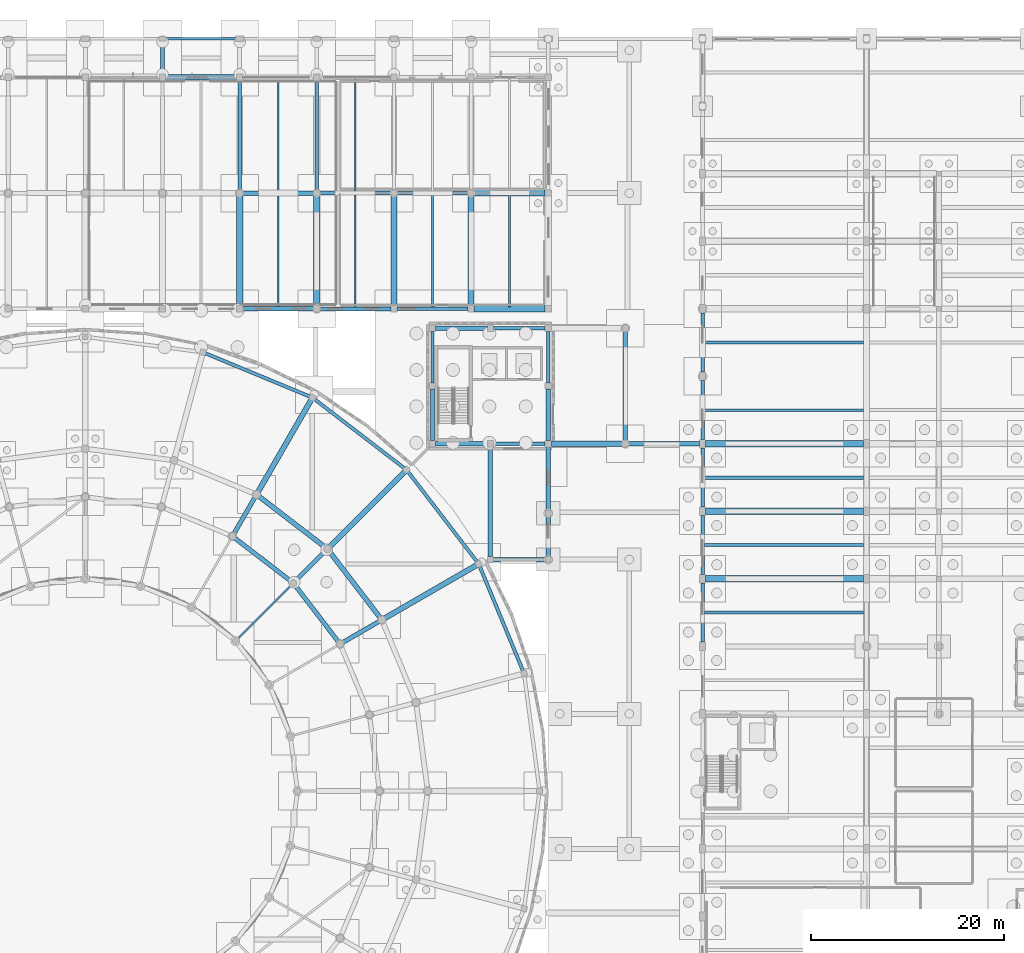
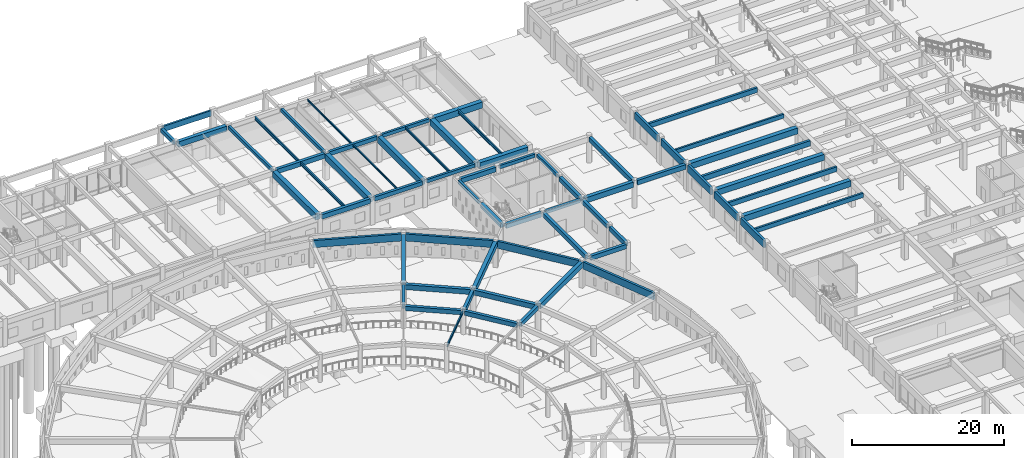
# One storey, part 32 of 84: 66 beams.
"""IFC4 building model written with IfcOpenShell, lengths in metres."""

from ifc_helpers import new_model, si_unit, direction, frame, origin, origin_2d, place, context, subcontext, project, spatial, rectangle, i_section, extrude, material, material_profile, profile_set, type_object, element, save


model = new_model("IFC4")

# Units and contexts
model_context = context("Model", 3, precision=1e-05, world=origin(), true_north=direction((0.0, 1.0)))
body_context = subcontext(model_context, "Body", "Model", "MODEL_VIEW")
ifc_project = project(units=[si_unit("LENGTHUNIT", "METRE"), si_unit("AREAUNIT", "SQUARE_METRE"), si_unit("VOLUMEUNIT", "CUBIC_METRE"), si_unit("PLANEANGLEUNIT", "RADIAN"), si_unit("MASSUNIT", "GRAM", prefix="KILO")], contexts=[model_context])

# Site, building, storey
site_placement = place(None, origin())
site = spatial("IfcSite", under=ifc_project, at=site_placement, CompositionType="ELEMENT")
building_placement = place(site_placement, origin())
building = spatial("IfcBuilding", under=site, at=building_placement, Name="Larkveld Mobility Hub", CompositionType="ELEMENT")
storey_placement = place(building_placement, origin())
storey = spatial("IfcBuildingStorey", under=building, at=storey_placement, Name="L00", CompositionType="ELEMENT", Elevation=0.0)

# Beams
ifc_material_1 = material(Name="Precast concrete C50/60", Category="concrete")
ifc_material_profile_1 = material_profile(ifc_material_1, rectangle(XDim=0.280029296875, YDim=0.64990234375, at=origin_2d()), Name="PC DT 280x650")
ifc_profile_set_1 = profile_set([ifc_material_profile_1], Name="Precast concrete C50/60")
beam_type_1 = type_object("IfcBeamType", Name="BM-DT2865", PredefinedType="T_BEAM", material=ifc_profile_set_1)
beam_1_placement = place(storey_placement, frame((112.169921875, 87.5, 3.945068359375), z_axis=(1.0, 0.0, 0.0), x_axis=(0.0, 1.0, 0.0)))
element("IfcBeam", 1, at=beam_1_placement, inside=storey, type_object=beam_type_1, Name="Precast Double-Tee Stem L00-1031", PredefinedType="T_BEAM", context=body_context, shape_type="SweptSolid", body=[
    extrude(rectangle(XDim=0.280029296875, YDim=0.64990234375, at=origin_2d()), origin(), (0.0, 0.0, 1.0), 16.510009765625),
])
ifc_material_profile_2 = material_profile(ifc_material_1, rectangle(XDim=0.300048828125, YDim=0.699951171875, at=origin_2d()), Name="PC DT 300x700")
ifc_profile_set_2 = profile_set([ifc_material_profile_2], Name="Precast concrete C50/60")
beam_type_2 = type_object("IfcBeamType", Name="BM-DT3070", PredefinedType="T_BEAM", material=ifc_profile_set_2)
beam_2_placement = place(storey_placement, frame((112.169921875, 66.5, 3.919921875), z_axis=(1.0, 0.0, 0.0), x_axis=(0.0, 1.0, 0.0)))
element("IfcBeam", 2, at=beam_2_placement, inside=storey, type_object=beam_type_2, Name="Precast Double-Tee Stem L00-1024", PredefinedType="T_BEAM", context=body_context, shape_type="SweptSolid", body=[
    extrude(rectangle(XDim=0.300048828125, YDim=0.699951171875, at=origin_2d()), origin(), (0.0, 0.0, 1.0), 16.510009765625),
])
ifc_material_profile_3 = material_profile(ifc_material_1, rectangle(XDim=0.320068359375, YDim=0.75, at=origin_2d()), Name="PC DT 320x750")
ifc_profile_set_3 = profile_set([ifc_material_profile_3], Name="Precast concrete C50/60")
beam_type_3 = type_object("IfcBeamType", Name="BM-DT3275", PredefinedType="T_BEAM", material=ifc_profile_set_3)
for number, where, z_axis, x_axis, name in (
    (3, (112.169921875, 73.5, 3.89501953125), (1.0, 0.0, 0.0), (0.0, 1.0, 0.0), "Precast Double-Tee Stem L00-1025"),
    (4, (112.169921875, 94.5, 3.89501953125), (1.0, 0.0, 0.0), (0.0, 1.0, 0.0), "Precast Double-Tee Stem L00-1034"),
):
    element("IfcBeam", number, at=place(storey_placement, frame(where, z_axis=z_axis, x_axis=x_axis)), inside=storey, type_object=beam_type_3, Name=name, PredefinedType="T_BEAM", context=body_context, shape_type="SweptSolid", body=[
        extrude(rectangle(XDim=0.320068359375, YDim=0.75, at=origin_2d()), origin(), (0.0, 0.0, 1.0), 16.510009765625),
    ])
ifc_material_profile_4 = material_profile(ifc_material_1, rectangle(XDim=0.360107421875, YDim=0.85009765625, at=origin_2d()), Name="PC DT 360x850")
ifc_profile_set_4 = profile_set([ifc_material_profile_4], Name="Precast concrete C50/60")
beam_type_4 = type_object("IfcBeamType", Name="BM-DT3685", PredefinedType="T_BEAM", material=ifc_profile_set_4)
beam_3_placement = place(storey_placement, frame((112.169921875, 80.5, 3.844970703125), z_axis=(1.0, 0.0, 0.0), x_axis=(0.0, 1.0, 0.0)))
element("IfcBeam", 5, at=beam_3_placement, inside=storey, type_object=beam_type_4, Name="Precast Double-Tee Stem L00-1028", PredefinedType="T_BEAM", context=body_context, shape_type="SweptSolid", body=[
    extrude(rectangle(XDim=0.360107421875, YDim=0.85009765625, at=origin_2d()), origin(), (0.0, 0.0, 1.0), 16.510009765625),
])
ifc_material_profile_5 = material_profile(ifc_material_1, rectangle(XDim=0.64990234375, YDim=0.949951171875, at=origin_2d()), Name="PC ITB 650x950")
ifc_profile_set_5 = profile_set([ifc_material_profile_5], Name="Precast concrete C50/60")
beam_type_5 = type_object("IfcBeamType", Name="BM-ITB6595", PredefinedType="T_BEAM", material=ifc_profile_set_5)
for number, where, z_axis, x_axis, name in (
    (6, (112.324951171875, 70.0, 3.784912109375), (1.0, 0.0, 0.0), (0.0, 1.0, 0.0), "Primary E-W Girder L00-0027"),
    (7, (112.324951171875, 77.0, 3.784912109375), (1.0, 0.0, 0.0), (0.0, 1.0, 0.0), "Primary E-W Girder L00-0031"),
    (8, (112.324951171875, 84.0, 3.784912109375), (1.0, 0.0, 0.0), (0.0, 1.0, 0.0), "Primary E-W Girder L00-0039"),
):
    element("IfcBeam", number, at=place(storey_placement, frame(where, z_axis=z_axis, x_axis=x_axis)), inside=storey, type_object=beam_type_5, Name=name, PredefinedType="T_BEAM", context=body_context, shape_type="SweptSolid", body=[
        extrude(rectangle(XDim=0.64990234375, YDim=0.949951171875, at=origin_2d()), origin(), (0.0, 0.0, 1.0), 16.35009765625),
    ])
ifc_material_2 = material(Name="Concrete C40/50", Category="concrete")
ifc_material_profile_6 = material_profile(ifc_material_2, rectangle(XDim=0.35009765625, YDim=0.550048828125, at=origin_2d()), Name="RC BM 350x550")
ifc_profile_set_6 = profile_set([ifc_material_profile_6], Name="Concrete C40/50")
beam_type_6 = type_object("IfcBeamType", Name="BM-RC3555", PredefinedType="BEAM", material=ifc_profile_set_6)
for number, where, z_axis, x_axis, name in (
    (9, (90.324951171875, 84.0, 3.985107421875), (1.0, 0.0, 0.0), (0.0, 1.0, 0.0), "Primary E-W Girder L00-0036"),
    (10, (90.324951171875, 96.0, 3.985107421875), (1.0, 0.0, 0.0), (0.0, 1.0, 0.0), "Primary E-W Girder L00-0045"),
):
    element("IfcBeam", number, at=place(storey_placement, frame(where, z_axis=z_axis, x_axis=x_axis)), inside=storey, type_object=beam_type_6, Name=name, PredefinedType="BEAM", context=body_context, shape_type="SweptSolid", body=[
        extrude(rectangle(XDim=0.35009765625, YDim=0.550048828125, at=origin_2d()), origin(), (0.0, 0.0, 1.0), 5.35009765625),
    ])
for number, where, z_axis, x_axis, name in (
    (11, (80.324951171875, 98.0, 3.985107421875), (1.0, 0.0, 0.0), (0.0, 1.0, 0.0), "Primary E-W Girder L00-0057"),
    (12, (80.324951171875, 110.0, 3.985107421875), (1.0, 0.0, 0.0), (0.0, 1.0, 0.0), "Primary E-W Girder L00-0077"),
):
    element("IfcBeam", number, at=place(storey_placement, frame(where, z_axis=z_axis, x_axis=x_axis)), inside=storey, type_object=beam_type_6, Name=name, PredefinedType="BEAM", context=body_context, shape_type="SweptSolid", body=[
        extrude(rectangle(XDim=0.35009765625, YDim=0.550048828125, at=origin_2d()), origin(), (0.0, 0.0, 1.0), 7.35009765625),
    ])
for number, where, z_axis, x_axis, name in (
    (13, (64.0, 110.324951171875, 3.985107421875), (0.0, 1.0, 0.0), (-1.0, 0.0, 0.0), "Primary N-S Girder L00-0139"),
    (14, (72.0, 110.324951171875, 3.985107421875), (0.0, 1.0, 0.0), (-1.0, 0.0, 0.0), "Primary N-S Girder L00-0142"),
):
    element("IfcBeam", number, at=place(storey_placement, frame(where, z_axis=z_axis, x_axis=x_axis)), inside=storey, type_object=beam_type_6, Name=name, PredefinedType="BEAM", context=body_context, shape_type="SweptSolid", body=[
        extrude(rectangle(XDim=0.35009765625, YDim=0.550048828125, at=origin_2d()), origin(), (0.0, 0.0, 1.0), 11.35009765625),
    ])
for number, where, z_axis, x_axis, name in (
    (15, (84.0, 90.324951171875, 3.985107421875), (0.0, 1.0, 0.0), (-1.0, 0.0, 0.0), "Primary N-S Girder L00-0148"),
    (16, (96.0, 90.324951171875, 3.985107421875), (0.0, 1.0, 0.0), (-1.0, 0.0, 0.0), "Primary N-S Girder L00-0153"),
):
    element("IfcBeam", number, at=place(storey_placement, frame(where, z_axis=z_axis, x_axis=x_axis)), inside=storey, type_object=beam_type_6, Name=name, PredefinedType="BEAM", context=body_context, shape_type="SweptSolid", body=[
        extrude(rectangle(XDim=0.35009765625, YDim=0.550048828125, at=origin_2d()), origin(), (0.0, 0.0, 1.0), 5.35009765625),
    ])
ifc_material_profile_7 = material_profile(ifc_material_2, rectangle(XDim=0.39990234375, YDim=0.64990234375, at=origin_2d()), Name="RC BM 400x650")
ifc_profile_set_7 = profile_set([ifc_material_profile_7], Name="Concrete C40/50")
beam_type_7 = type_object("IfcBeamType", Name="BM-RC4065", PredefinedType="BEAM", material=ifc_profile_set_7)
for number, where, z_axis, x_axis, name in (
    (17, (72.324951171875, 98.0, 3.93505859375), (1.0, 0.0, 0.0), (0.0, 1.0, 0.0), "Primary E-W Girder L00-0056"),
    (18, (72.324951171875, 110.0, 3.93505859375), (1.0, 0.0, 0.0), (0.0, 1.0, 0.0), "Primary E-W Girder L00-0076"),
):
    element("IfcBeam", number, at=place(storey_placement, frame(where, z_axis=z_axis, x_axis=x_axis)), inside=storey, type_object=beam_type_7, Name=name, PredefinedType="BEAM", context=body_context, shape_type="SweptSolid", body=[
        extrude(rectangle(XDim=0.39990234375, YDim=0.64990234375, at=origin_2d()), origin(), (0.0, 0.0, 1.0), 7.35009765625),
    ])
beam_4_placement = place(storey_placement, frame((56.0, 122.324951171875, 3.93505859375), z_axis=(0.0, 1.0, 0.0), x_axis=(-1.0, 0.0, 0.0)))
element("IfcBeam", 19, at=beam_4_placement, inside=storey, type_object=beam_type_7, Name="Primary N-S Girder L00-0137", PredefinedType="BEAM", context=body_context, shape_type="SweptSolid", body=[
    extrude(rectangle(XDim=0.39990234375, YDim=0.64990234375, at=origin_2d()), origin(), (0.0, 0.0, 1.0), 3.300048828125),
])
ifc_material_profile_8 = material_profile(ifc_material_2, rectangle(XDim=0.449951171875, YDim=0.699951171875, at=origin_2d()), Name="RC BM 450x700")
ifc_profile_set_8 = profile_set([ifc_material_profile_8], Name="Concrete C40/50")
beam_type_8 = type_object("IfcBeamType", Name="BM-RC4570", PredefinedType="BEAM", material=ifc_profile_set_8)
beam_5_placement = place(storey_placement, frame((90.294921875, 72.0, 3.909912109375), z_axis=(1.0, 0.0, 0.0), x_axis=(0.0, 1.0, 0.0)))
element("IfcBeam", 20, at=beam_5_placement, inside=storey, type_object=beam_type_8, Name="Drum Link South Girder L00-0241", PredefinedType="BEAM", context=body_context, shape_type="SweptSolid", body=[
    extrude(rectangle(XDim=0.449951171875, YDim=0.699951171875, at=origin_2d()), origin(), (0.0, 0.0, 1.0), 5.41015625),
])
beam_6_placement = place(storey_placement, frame((90.0, 72.294921875, 3.909912109375), z_axis=(0.0, 1.0, 0.0), x_axis=(-1.0, 0.0, 0.0)))
element("IfcBeam", 21, at=beam_6_placement, inside=storey, type_object=beam_type_8, Name="Drum Link Spine Girder L00-0241", PredefinedType="BEAM", context=body_context, shape_type="SweptSolid", body=[
    extrude(rectangle(XDim=0.449951171875, YDim=0.699951171875, at=origin_2d()), origin(), (0.0, 0.0, 1.0), 11.41015625),
])
beam_7_placement = place(storey_placement, frame((96.0, 72.294921875, 3.909912109375), z_axis=(0.0, 1.0, 0.0), x_axis=(-1.0, 0.0, 0.0)))
element("IfcBeam", 22, at=beam_7_placement, inside=storey, type_object=beam_type_8, Name="Drum Link East Girder L00-0241", PredefinedType="BEAM", context=body_context, shape_type="SweptSolid", body=[
    extrude(rectangle(XDim=0.449951171875, YDim=0.699951171875, at=origin_2d()), origin(), (0.0, 0.0, 1.0), 4.2099609375),
])
beam_8_placement = place(storey_placement, frame((96.0, 77.094970703125, 3.909912109375), z_axis=(0.0, 1.0, 0.0), x_axis=(-1.0, 0.0, 0.0)))
element("IfcBeam", 23, at=beam_8_placement, inside=storey, type_object=beam_type_8, Name="Drum Link East Girder L00-0241", PredefinedType="BEAM", context=body_context, shape_type="SweptSolid", body=[
    extrude(rectangle(XDim=0.449951171875, YDim=0.699951171875, at=origin_2d()), origin(), (0.0, 0.0, 1.0), 6.610107421875),
])
beam_9_placement = place(storey_placement, frame((74.6220703125, 63.3701171875, 3.885009765625), z_axis=(0.86601375827, 0.50002017008, 0.0), x_axis=(-0.50002017008, 0.86601375827, 0.0)))
element("IfcBeam", 24, at=beam_9_placement, inside=storey, type_object=beam_type_8, Name="Drum Radial Girder L00-1226", PredefinedType="BEAM", context=body_context, shape_type="SweptSolid", body=[
    extrude(rectangle(XDim=0.449951171875, YDim=0.699951171875, at=origin_2d()), origin(), (0.0, 0.0, 1.0), 4.519287109375),
])
beam_10_placement = place(storey_placement, frame((69.737060546875, 69.737060546875, 3.885009765625), z_axis=(0.707106781187, 0.707106781187, 0.0), x_axis=(-0.707106781187, 0.707106781187, 0.0)))
element("IfcBeam", 25, at=beam_10_placement, inside=storey, type_object=beam_type_8, Name="Drum Radial Girder L00-1229", PredefinedType="BEAM", context=body_context, shape_type="SweptSolid", body=[
    extrude(rectangle(XDim=0.449951171875, YDim=0.699951171875, at=origin_2d()), origin(), (0.0, 0.0, 1.0), 4.51806640625),
])
beam_11_placement = place(storey_placement, frame((63.3701171875, 74.6220703125, 3.885009765625), z_axis=(0.50002017008, 0.86601375827, 0.0), x_axis=(-0.86601375827, 0.50002017008, 0.0)))
element("IfcBeam", 26, at=beam_11_placement, inside=storey, type_object=beam_type_8, Name="Drum Radial Girder L00-1232", PredefinedType="BEAM", context=body_context, shape_type="SweptSolid", body=[
    extrude(rectangle(XDim=0.449951171875, YDim=0.699951171875, at=origin_2d()), origin(), (0.0, 0.0, 1.0), 4.519287109375),
])
for number, where, z_axis, x_axis, name in (
    (27, (74.26806640625, 63.43994140625, 3.885009765625), (-0.608723281143, 0.793382610721, 0.0), (-0.793382610721, -0.608723281143, 0.0), "Drum Chord Ring Beam L00-1298"),
    (28, (69.376953125, 69.712890625, 3.885009765625), (-0.793382610721, 0.608723281143, 0.0), (-0.608723281143, -0.793382610721, 0.0), "Drum Chord Ring Beam L00-1302"),
):
    element("IfcBeam", number, at=place(storey_placement, frame(where, z_axis=z_axis, x_axis=x_axis)), inside=storey, type_object=beam_type_8, Name=name, PredefinedType="BEAM", context=body_context, shape_type="SweptSolid", body=[
        extrude(rectangle(XDim=0.449951171875, YDim=0.699951171875, at=origin_2d()), origin(), (0.0, 0.0, 1.0), 7.483154296875),
    ])
ifc_material_profile_9 = material_profile(ifc_material_2, rectangle(XDim=0.449951171875, YDim=0.75, at=origin_2d()), Name="RC BM 450x750")
ifc_profile_set_9 = profile_set([ifc_material_profile_9], Name="Concrete C40/50")
beam_type_9 = type_object("IfcBeamType", Name="BM-RC4575", PredefinedType="BEAM", material=ifc_profile_set_9)
beam_12_placement = place(storey_placement, frame((84.324951171875, 84.0, 3.885009765625), z_axis=(1.0, 0.0, 0.0), x_axis=(0.0, 1.0, 0.0)))
element("IfcBeam", 29, at=beam_12_placement, inside=storey, type_object=beam_type_9, Name="Primary E-W Girder L00-0035", PredefinedType="BEAM", context=body_context, shape_type="SweptSolid", body=[
    extrude(rectangle(XDim=0.449951171875, YDim=0.75, at=origin_2d()), origin(), (0.0, 0.0, 1.0), 5.35009765625),
])
beam_13_placement = place(storey_placement, frame((104.35009765625, 84.0, 3.885009765625), z_axis=(1.0, 0.0, 0.0), x_axis=(0.0, 1.0, 0.0)))
element("IfcBeam", 30, at=beam_13_placement, inside=storey, type_object=beam_type_9, Name="Primary E-W Girder L00-0038", PredefinedType="BEAM", context=body_context, shape_type="SweptSolid", body=[
    extrude(rectangle(XDim=0.449951171875, YDim=0.75, at=origin_2d()), origin(), (0.0, 0.0, 1.0), 7.324951171875),
])
beam_14_placement = place(storey_placement, frame((84.324951171875, 96.0, 3.885009765625), z_axis=(1.0, 0.0, 0.0), x_axis=(0.0, 1.0, 0.0)))
element("IfcBeam", 31, at=beam_14_placement, inside=storey, type_object=beam_type_9, Name="Primary E-W Girder L00-0044", PredefinedType="BEAM", context=body_context, shape_type="SweptSolid", body=[
    extrude(rectangle(XDim=0.449951171875, YDim=0.75, at=origin_2d()), origin(), (0.0, 0.0, 1.0), 5.35009765625),
])
for number, where, z_axis, x_axis, name in (
    (32, (64.324951171875, 98.0, 3.885009765625), (1.0, 0.0, 0.0), (0.0, 1.0, 0.0), "Primary E-W Girder L00-0055"),
    (33, (64.324951171875, 110.0, 3.885009765625), (1.0, 0.0, 0.0), (0.0, 1.0, 0.0), "Primary E-W Girder L00-0075"),
):
    element("IfcBeam", number, at=place(storey_placement, frame(where, z_axis=z_axis, x_axis=x_axis)), inside=storey, type_object=beam_type_9, Name=name, PredefinedType="BEAM", context=body_context, shape_type="SweptSolid", body=[
        extrude(rectangle(XDim=0.449951171875, YDim=0.75, at=origin_2d()), origin(), (0.0, 0.0, 1.0), 7.35009765625),
    ])
for number, where, z_axis, x_axis, name in (
    (34, (84.0, 84.324951171875, 3.885009765625), (0.0, 1.0, 0.0), (-1.0, 0.0, 0.0), "Primary N-S Girder L00-0147"),
    (35, (96.0, 84.324951171875, 3.885009765625), (0.0, 1.0, 0.0), (-1.0, 0.0, 0.0), "Primary N-S Girder L00-0152"),
):
    element("IfcBeam", number, at=place(storey_placement, frame(where, z_axis=z_axis, x_axis=x_axis)), inside=storey, type_object=beam_type_9, Name=name, PredefinedType="BEAM", context=body_context, shape_type="SweptSolid", body=[
        extrude(rectangle(XDim=0.449951171875, YDim=0.75, at=origin_2d()), origin(), (0.0, 0.0, 1.0), 5.35009765625),
    ])
beam_15_placement = place(storey_placement, frame((104.0, 84.35009765625, 3.885009765625), z_axis=(0.0, 1.0, 0.0), x_axis=(-1.0, 0.0, 0.0)))
element("IfcBeam", 36, at=beam_15_placement, inside=storey, type_object=beam_type_9, Name="Primary N-S Girder L00-0157", PredefinedType="BEAM", context=body_context, shape_type="SweptSolid", body=[
    extrude(rectangle(XDim=0.449951171875, YDim=0.75, at=origin_2d()), origin(), (0.0, 0.0, 1.0), 11.2998046875),
])
ifc_material_profile_10 = material_profile(ifc_material_2, rectangle(XDim=0.5, YDim=0.800048828125, at=origin_2d()), Name="RC BM 500x800")
ifc_profile_set_10 = profile_set([ifc_material_profile_10], Name="Concrete C40/50")
beam_type_10 = type_object("IfcBeamType", Name="BM-RC5080", PredefinedType="BEAM", material=ifc_profile_set_10)
for number, where, z_axis, x_axis, name in (
    (37, (78.597900390625, 65.93994140625, 3.8349609375), (-0.608755761591, 0.793357689021, 0.0), (-0.793357689021, -0.608755761591, 0.0), "Drum Chord Ring Beam L00-1299"),
    (38, (72.912109375, 73.248046875, 3.8349609375), (-0.793357689021, 0.608755761591, 0.0), (-0.608755761591, -0.793357689021, 0.0), "Drum Chord Ring Beam L00-1303"),
):
    element("IfcBeam", number, at=place(storey_placement, frame(where, z_axis=z_axis, x_axis=x_axis)), inside=storey, type_object=beam_type_10, Name=name, PredefinedType="BEAM", context=body_context, shape_type="SweptSolid", body=[
        extrude(rectangle(XDim=0.5, YDim=0.800048828125, at=origin_2d()), origin(), (0.0, 0.0, 1.0), 8.7880859375),
    ])
ifc_material_profile_11 = material_profile(ifc_material_2, rectangle(XDim=0.550048828125, YDim=0.85009765625, at=origin_2d()), Name="RC BM 550x850")
ifc_profile_set_11 = profile_set([ifc_material_profile_11], Name="Concrete C40/50")
beam_type_11 = type_object("IfcBeamType", Name="BM-RC5585", PredefinedType="BEAM", material=ifc_profile_set_11)
beam_16_placement = place(storey_placement, frame((96.324951171875, 84.0, 3.8349609375), z_axis=(1.0, 0.0, 0.0), x_axis=(0.0, 1.0, 0.0)))
element("IfcBeam", 39, at=beam_16_placement, inside=storey, type_object=beam_type_11, Name="Primary E-W Girder L00-0037", PredefinedType="BEAM", context=body_context, shape_type="SweptSolid", body=[
    extrude(rectangle(XDim=0.550048828125, YDim=0.85009765625, at=origin_2d()), origin(), (0.0, 0.0, 1.0), 7.324951171875),
])
beam_17_placement = place(storey_placement, frame((56.324951171875, 122.0, 3.8349609375), z_axis=(1.0, 0.0, 0.0), x_axis=(0.0, 1.0, 0.0)))
element("IfcBeam", 40, at=beam_17_placement, inside=storey, type_object=beam_type_11, Name="Primary E-W Girder L00-0091", PredefinedType="BEAM", context=body_context, shape_type="SweptSolid", body=[
    extrude(rectangle(XDim=0.550048828125, YDim=0.85009765625, at=origin_2d()), origin(), (0.0, 0.0, 1.0), 7.35009765625),
])
beam_18_placement = place(storey_placement, frame((78.951904296875, 65.8701171875, 3.81005859375), z_axis=(0.866030930781, 0.499990426839, 0.0), x_axis=(-0.499990426839, 0.866030930781, 0.0)))
element("IfcBeam", 41, at=beam_18_placement, inside=storey, type_object=beam_type_11, Name="Drum Radial Girder L00-1227", PredefinedType="BEAM", context=body_context, shape_type="SweptSolid", body=[
    extrude(rectangle(XDim=0.550048828125, YDim=0.85009765625, at=origin_2d()), origin(), (0.0, 0.0, 1.0), 11.119873046875),
])
beam_19_placement = place(storey_placement, frame((73.27197265625, 73.27197265625, 3.81005859375), z_axis=(0.707106781187, 0.707106781187, 0.0), x_axis=(-0.707106781187, 0.707106781187, 0.0)))
element("IfcBeam", 42, at=beam_19_placement, inside=storey, type_object=beam_type_11, Name="Drum Radial Girder L00-1230", PredefinedType="BEAM", context=body_context, shape_type="SweptSolid", body=[
    extrude(rectangle(XDim=0.550048828125, YDim=0.85009765625, at=origin_2d()), origin(), (0.0, 0.0, 1.0), 11.1201171875),
])
beam_20_placement = place(storey_placement, frame((65.8701171875, 78.951904296875, 3.81005859375), z_axis=(0.499990426839, 0.866030930781, 0.0), x_axis=(-0.866030930781, 0.499990426839, 0.0)))
element("IfcBeam", 43, at=beam_20_placement, inside=storey, type_object=beam_type_11, Name="Drum Radial Girder L00-1233", PredefinedType="BEAM", context=body_context, shape_type="SweptSolid", body=[
    extrude(rectangle(XDim=0.550048828125, YDim=0.85009765625, at=origin_2d()), origin(), (0.0, 0.0, 1.0), 11.119873046875),
])
ifc_material_profile_12 = material_profile(ifc_material_2, rectangle(XDim=0.64990234375, YDim=1.0, at=origin_2d()), Name="RC BM 650x1000")
ifc_profile_set_12 = profile_set([ifc_material_profile_12], Name="Concrete C40/50")
beam_type_12 = type_object("IfcBeamType", Name="BM-RC65100", PredefinedType="BEAM", material=ifc_profile_set_12)
for number, where, z_axis, x_axis, name in (
    (44, (88.324951171875, 98.0, 3.760009765625), (1.0, 0.0, 0.0), (0.0, 1.0, 0.0), "Primary E-W Girder L00-0058"),
    (45, (88.324951171875, 110.0, 3.760009765625), (1.0, 0.0, 0.0), (0.0, 1.0, 0.0), "Primary E-W Girder L00-0078"),
):
    element("IfcBeam", number, at=place(storey_placement, frame(where, z_axis=z_axis, x_axis=x_axis)), inside=storey, type_object=beam_type_12, Name=name, PredefinedType="BEAM", context=body_context, shape_type="SweptSolid", body=[
        extrude(rectangle(XDim=0.64990234375, YDim=1.0, at=origin_2d()), origin(), (0.0, 0.0, 1.0), 7.35009765625),
    ])
for number, where, z_axis, x_axis, name in (
    (46, (64.0, 98.324951171875, 3.760009765625), (0.0, 1.0, 0.0), (-1.0, 0.0, 0.0), "Primary N-S Girder L00-0138"),
    (47, (72.0, 98.324951171875, 3.760009765625), (0.0, 1.0, 0.0), (-1.0, 0.0, 0.0), "Primary N-S Girder L00-0141"),
    (48, (80.0, 98.324951171875, 3.760009765625), (0.0, 1.0, 0.0), (-1.0, 0.0, 0.0), "Primary N-S Girder L00-0144"),
    (49, (88.0, 98.324951171875, 3.760009765625), (0.0, 1.0, 0.0), (-1.0, 0.0, 0.0), "Primary N-S Girder L00-0149"),
):
    element("IfcBeam", number, at=place(storey_placement, frame(where, z_axis=z_axis, x_axis=x_axis)), inside=storey, type_object=beam_type_12, Name=name, PredefinedType="BEAM", context=body_context, shape_type="SweptSolid", body=[
        extrude(rectangle(XDim=0.64990234375, YDim=1.0, at=origin_2d()), origin(), (0.0, 0.0, 1.0), 11.35009765625),
    ])
ifc_material_profile_13 = material_profile(ifc_material_1, rectangle(XDim=0.280029296875, YDim=0.89990234375, at=origin_2d()), Name="PC SP 280x900")
ifc_profile_set_13 = profile_set([ifc_material_profile_13], Name="Precast concrete C50/60")
beam_type_13 = type_object("IfcBeamType", Name="BM-SP2890", PredefinedType="SPANDREL", material=ifc_profile_set_13)
beam_21_placement = place(storey_placement, frame((56.25, 126.0, 3.81005859375), z_axis=(1.0, 0.0, 0.0), x_axis=(0.0, 1.0, 0.0)))
element("IfcBeam", 50, at=beam_21_placement, inside=storey, type_object=beam_type_13, Name="Primary E-W Girder L00-0103", PredefinedType="SPANDREL", context=body_context, shape_type="SweptSolid", body=[
    extrude(rectangle(XDim=0.280029296875, YDim=0.89990234375, at=origin_2d()), origin(), (0.0, 0.0, 1.0), 7.47509765625),
])
ifc_material_profile_14 = material_profile(ifc_material_1, rectangle(XDim=0.35009765625, YDim=1.14990234375, at=origin_2d()), Name="PC SP 350x1150")
ifc_profile_set_14 = profile_set([ifc_material_profile_14], Name="Precast concrete C50/60")
beam_type_14 = type_object("IfcBeamType", Name="BM-SP35115", PredefinedType="SPANDREL", material=ifc_profile_set_14)
for number, where, z_axis, x_axis, name in (
    (51, (112.0, 63.449951171875, 3.68505859375), (0.0, 1.0, 0.0), (-1.0, 0.0, 0.0), "Primary N-S Girder L00-0166"),
    (52, (112.0, 70.449951171875, 3.68505859375), (0.0, 1.0, 0.0), (-1.0, 0.0, 0.0), "Primary N-S Girder L00-0167"),
    (53, (112.0, 77.449951171875, 3.68505859375), (0.0, 1.0, 0.0), (-1.0, 0.0, 0.0), "Primary N-S Girder L00-0168"),
    (54, (112.0, 84.449951171875, 3.68505859375), (0.0, 1.0, 0.0), (-1.0, 0.0, 0.0), "Primary N-S Girder L00-0169"),
    (55, (112.0, 91.449951171875, 3.68505859375), (0.0, 1.0, 0.0), (-1.0, 0.0, 0.0), "Primary N-S Girder L00-0170"),
):
    element("IfcBeam", number, at=place(storey_placement, frame(where, z_axis=z_axis, x_axis=x_axis)), inside=storey, type_object=beam_type_14, Name=name, PredefinedType="SPANDREL", context=body_context, shape_type="SweptSolid", body=[
        extrude(rectangle(XDim=0.35009765625, YDim=1.14990234375, at=origin_2d()), origin(), (0.0, 0.0, 1.0), 6.10009765625),
    ])
beam_22_placement = place(storey_placement, frame((93.403076171875, 60.412109375, 3.659912109375), z_axis=(-0.38264987514, 0.923893431655, 0.0), x_axis=(-0.923893431655, -0.38264987514, 0.0)))
element("IfcBeam", 56, at=beam_22_placement, inside=storey, type_object=beam_type_14, Name="Drum Chord Ring Beam L00-1296", PredefinedType="SPANDREL", context=body_context, shape_type="SweptSolid", body=[
    extrude(rectangle(XDim=0.35009765625, YDim=1.14990234375, at=origin_2d()), origin(), (0.0, 0.0, 1.0), 11.81494140625),
])
for number, where, z_axis, x_axis, name in (
    (57, (88.64404296875, 71.739990234375, 3.659912109375), (-0.608730786402, 0.79337685225, 0.0), (-0.79337685225, -0.608730786402, 0.0), "Drum Chord Ring Beam L00-1300"),
    (58, (81.114990234375, 81.450927734375, 3.659912109375), (-0.79337685225, 0.608730786402, 0.0), (-0.608730786402, -0.79337685225, 0.0), "Drum Chord Ring Beam L00-1304"),
):
    element("IfcBeam", number, at=place(storey_placement, frame(where, z_axis=z_axis, x_axis=x_axis)), inside=storey, type_object=beam_type_14, Name=name, PredefinedType="SPANDREL", context=body_context, shape_type="SweptSolid", body=[
        extrude(rectangle(XDim=0.35009765625, YDim=1.14990234375, at=origin_2d()), origin(), (0.0, 0.0, 1.0), 11.816650390625),
    ])
beam_23_placement = place(storey_placement, frame((71.327880859375, 88.882080078125, 3.659912109375), z_axis=(-0.923893431655, 0.38264987514, 0.0), x_axis=(-0.38264987514, -0.923893431655, 0.0)))
element("IfcBeam", 59, at=beam_23_placement, inside=storey, type_object=beam_type_14, Name="Drum Chord Ring Beam L00-1308", PredefinedType="SPANDREL", context=body_context, shape_type="SweptSolid", body=[
    extrude(rectangle(XDim=0.35009765625, YDim=1.14990234375, at=origin_2d()), origin(), (0.0, 0.0, 1.0), 11.81494140625),
])
ifc_material_3 = material(Name="Steel S355JR", Category="steel")
ifc_material_profile_15 = material_profile(ifc_material_3, i_section(OverallWidth=0.14990234375, OverallDepth=0.300048828125, WebThickness=0.007080078125, FlangeThickness=0.0107421875, FilletRadius=0.014892578125, at=origin_2d()), Name="IPE 300")
ifc_profile_set_15 = profile_set([ifc_material_profile_15], Name="Steel S355JR")
beam_type_15 = type_object("IfcBeamType", Name="BM-STIPE300", PredefinedType="BEAM", material=ifc_profile_set_15)
for number, where, z_axis, x_axis, name in (
    (60, (76.0, 98.169921875, 4.1201171875), (0.0, 1.0, 0.0), (-1.0, 0.0, 0.0), "Bicycle Hall Secondary Beam L00-1176"),
    (61, (76.0, 110.169921875, 4.1201171875), (0.0, 1.0, 0.0), (-1.0, 0.0, 0.0), "Bicycle Hall Secondary Beam L00-1177"),
):
    element("IfcBeam", number, at=place(storey_placement, frame(where, z_axis=z_axis, x_axis=x_axis)), inside=storey, type_object=beam_type_15, Name=name, PredefinedType="BEAM", context=body_context, shape_type="SweptSolid", body=[
        extrude(i_section(OverallWidth=0.14990234375, OverallDepth=0.300048828125, WebThickness=0.007080078125, FlangeThickness=0.0107421875, FilletRadius=0.014892578125, at=origin_2d()), origin(), (0.0, 0.0, 1.0), 11.66015625),
    ])
ifc_material_profile_16 = material_profile(ifc_material_3, i_section(OverallWidth=0.179931640625, OverallDepth=0.39990234375, WebThickness=0.008544921875, FlangeThickness=0.013427734375, FilletRadius=0.02099609375, at=origin_2d()), Name="IPE 400")
ifc_profile_set_16 = profile_set([ifc_material_profile_16], Name="Steel S355JR")
beam_type_16 = type_object("IfcBeamType", Name="BM-STIPE400", PredefinedType="BEAM", material=ifc_profile_set_16)
beam_24_placement = place(storey_placement, frame((84.0, 98.169921875, 4.070068359375), z_axis=(0.0, 1.0, 0.0), x_axis=(-1.0, 0.0, 0.0)))
element("IfcBeam", 62, at=beam_24_placement, inside=storey, type_object=beam_type_16, Name="Bicycle Hall Secondary Beam L00-1178", PredefinedType="BEAM", context=body_context, shape_type="SweptSolid", body=[
    extrude(i_section(OverallWidth=0.179931640625, OverallDepth=0.39990234375, WebThickness=0.008544921875, FlangeThickness=0.013427734375, FilletRadius=0.02099609375, at=origin_2d()), origin(), (0.0, 0.0, 1.0), 11.66015625),
])
beam_25_placement = place(storey_placement, frame((63.72607421875, 63.72607421875, 4.034912109375), z_axis=(0.707106781187, 0.707106781187, 0.0), x_axis=(-0.707106781187, 0.707106781187, 0.0)))
element("IfcBeam", 63, at=beam_25_placement, inside=storey, type_object=beam_type_16, Name="Drum Radial Girder L00-1228", PredefinedType="BEAM", context=body_context, shape_type="SweptSolid", body=[
    extrude(i_section(OverallWidth=0.179931640625, OverallDepth=0.39990234375, WebThickness=0.008544921875, FlangeThickness=0.013427734375, FilletRadius=0.02099609375, at=origin_2d()), origin(), (0.0, 0.0, 1.0), 8.019775390625),
])
ifc_material_profile_17 = material_profile(ifc_material_3, i_section(OverallWidth=0.199951171875, OverallDepth=0.5, WebThickness=0.01025390625, FlangeThickness=0.01611328125, FilletRadius=0.02099609375, at=origin_2d()), Name="IPE 500")
ifc_profile_set_17 = profile_set([ifc_material_profile_17], Name="Steel S355JR")
beam_type_17 = type_object("IfcBeamType", Name="BM-STIPE500", PredefinedType="BEAM", material=ifc_profile_set_17)
for number, where, z_axis, x_axis, name in (
    (64, (68.0, 98.169921875, 4.02001953125), (0.0, 1.0, 0.0), (-1.0, 0.0, 0.0), "Bicycle Hall Secondary Beam L00-1174"),
    (65, (68.0, 110.169921875, 4.02001953125), (0.0, 1.0, 0.0), (-1.0, 0.0, 0.0), "Bicycle Hall Secondary Beam L00-1175"),
    (66, (92.0, 98.169921875, 4.02001953125), (0.0, 1.0, 0.0), (-1.0, 0.0, 0.0), "Bicycle Hall Secondary Beam L00-1180"),
):
    element("IfcBeam", number, at=place(storey_placement, frame(where, z_axis=z_axis, x_axis=x_axis)), inside=storey, type_object=beam_type_17, Name=name, PredefinedType="BEAM", context=body_context, shape_type="SweptSolid", body=[
        extrude(i_section(OverallWidth=0.199951171875, OverallDepth=0.5, WebThickness=0.01025390625, FlangeThickness=0.01611328125, FilletRadius=0.02099609375, at=origin_2d()), origin(), (0.0, 0.0, 1.0), 11.66015625),
    ])

save(model, "model.ifc")
